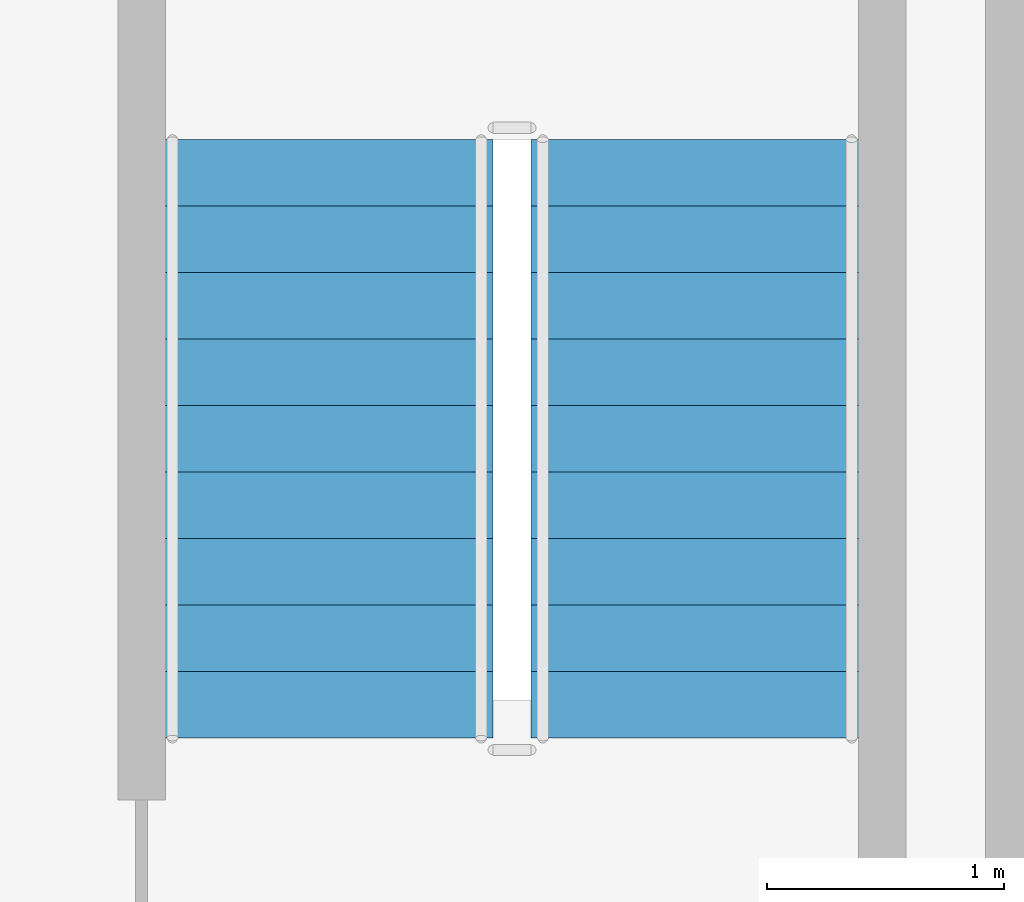
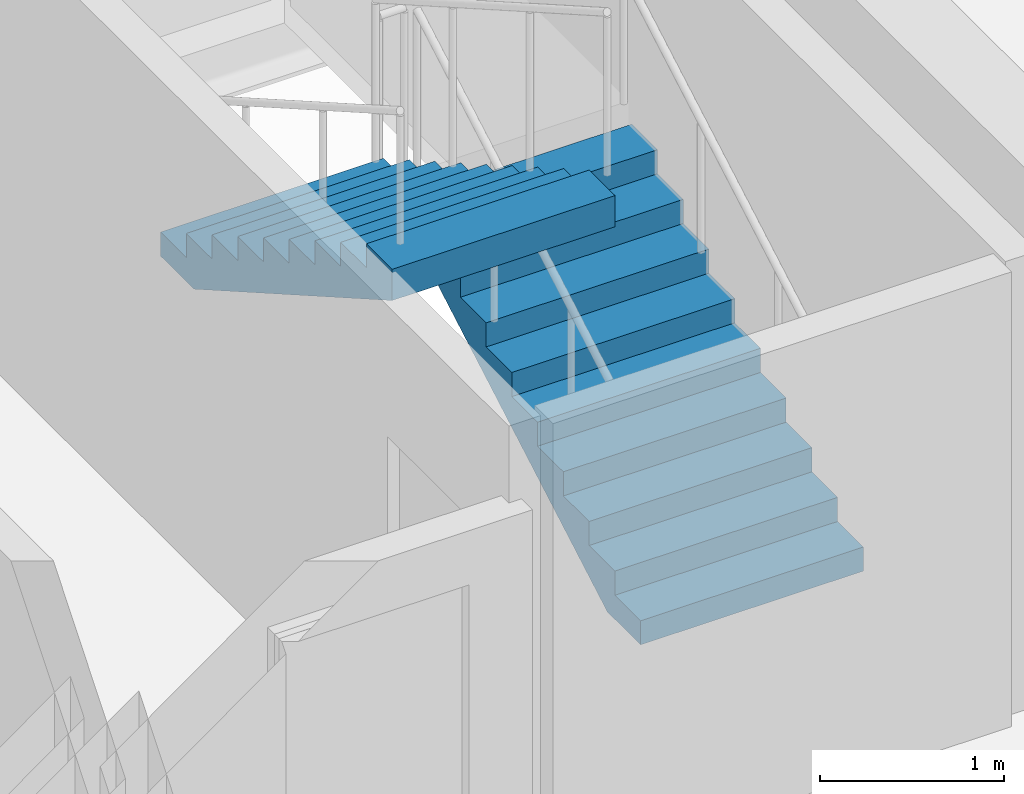
# One storey, part 5 of 7: 2 stair flights, 1 element without a shape of its own.
"""IFC4 building model written with IfcOpenShell, lengths in metres."""

from ifc_helpers import new_model, si_unit, direction, frame, origin, place, context, subcontext, project, spatial, polyline, outline, extrude, material, type_object, element, aggregate, save


model = new_model("IFC4")

# Units and contexts
model_context = context("Model", 3, precision=1e-05, world=origin(), true_north=direction((0.0, 1.0)))
body_context = subcontext(model_context, "Body", "Model", "MODEL_VIEW")
ifc_project = project(units=[si_unit("LENGTHUNIT", "METRE"), si_unit("AREAUNIT", "SQUARE_METRE"), si_unit("VOLUMEUNIT", "CUBIC_METRE"), si_unit("PLANEANGLEUNIT", "RADIAN"), si_unit("MASSUNIT", "GRAM", prefix="KILO")], contexts=[model_context])

# Site, building, storey
site_placement = place(None, origin())
site = spatial("IfcSite", under=ifc_project, at=site_placement, CompositionType="ELEMENT")
building_placement = place(site_placement, origin())
building = spatial("IfcBuilding", under=site, at=building_placement, Name="Kuzgunbayir Cultural Tower", CompositionType="ELEMENT")
storey_placement = place(building_placement, frame((0.0, 0.0, 198.39990234375)))
storey = spatial("IfcBuildingStorey", under=building, at=storey_placement, Name="L58", CompositionType="ELEMENT", Elevation=198.39990234375)

# Stair, stair flights
ifc_material = material(Name="Concrete C40/50", Category="concrete")
stair_type = type_object("IfcStairType", Name="STR-EXIT-CORE", PredefinedType="HALF_TURN_STAIR", material=ifc_material)
stair_placement = place(storey_placement, origin())
stair = element("IfcStair", 1, at=stair_placement, inside=storey, type_object=stair_type, Name="L58 ST-2", PredefinedType="HALF_TURN_STAIR")
stair_flight_type = type_object("IfcStairFlightType", Name="STRF-RC-140", PredefinedType="STRAIGHT", material=ifc_material)
stair_flight_1_placement = place(storey_placement, frame((25.4599609375, 35.60009765625, 0.0), z_axis=(0.0, 0.0, 1.0), x_axis=(0.0, 1.0, 0.0)))
stair_flight_1 = element("IfcStairFlight", 2, at=stair_flight_1_placement, type_object=stair_flight_type, Name="ST-2 flight 1", NumberOfRisers=10, NumberOfTreads=9, PredefinedType="STRAIGHT", RiserHeight=0.16, TreadLength=0.28, context=body_context, shape_type="SweptSolid", body=[
    extrude(outline(polyline([(0.0, 0.0), (0.0, 0.159912109375), (0.280029296875, 0.159912109375), (0.280029296875, 0.320068359375), (0.56005859375, 0.320068359375), (0.56005859375, 0.47998046875), (0.840087890625, 0.47998046875), (0.840087890625, 0.639892578125), (1.1201171875, 0.639892578125), (1.1201171875, 0.800048828125), (1.39990234375, 0.800048828125), (1.39990234375, 0.9599609375), (1.679931640625, 0.9599609375), (1.679931640625, 1.1201171875), (1.9599609375, 1.1201171875), (1.9599609375, 1.280029296875), (2.239990234375, 1.280029296875), (2.239990234375, 1.43994140625), (2.52001953125, 1.43994140625), (2.52001953125, 1.60009765625), (2.52001953125, 1.232666015625), (0.362548828125, 0.0), (0.0, 0.0)])), frame((0.0, 0.699951171875, 0.0), z_axis=(0.0, -1.0, 0.0), x_axis=(1.0, 0.0, 0.0)), (0.0, 0.0, 1.0), 1.39990234375),
])
stair_flight_2_placement = place(storey_placement, frame((23.89990234375, 38.1201171875, 1.60009765625), z_axis=(0.0, 0.0, 1.0), x_axis=(0.0, -1.0, 0.0)))
stair_flight_2 = element("IfcStairFlight", 3, at=stair_flight_2_placement, type_object=stair_flight_type, Name="ST-2 flight 2", NumberOfRisers=10, NumberOfTreads=9, PredefinedType="STRAIGHT", RiserHeight=0.16, TreadLength=0.28, context=body_context, shape_type="SweptSolid", body=[
    extrude(outline(polyline([(0.0, 0.0), (0.0, 0.159912109375), (0.280029296875, 0.159912109375), (0.280029296875, 0.320068359375), (0.56005859375, 0.320068359375), (0.56005859375, 0.47998046875), (0.840087890625, 0.47998046875), (0.840087890625, 0.639892578125), (1.1201171875, 0.639892578125), (1.1201171875, 0.800048828125), (1.39990234375, 0.800048828125), (1.39990234375, 0.9599609375), (1.679931640625, 0.9599609375), (1.679931640625, 1.1201171875), (1.9599609375, 1.1201171875), (1.9599609375, 1.280029296875), (2.239990234375, 1.280029296875), (2.239990234375, 1.43994140625), (2.52001953125, 1.43994140625), (2.52001953125, 1.60009765625), (2.52001953125, 1.232666015625), (0.362548828125, 0.0), (0.0, 0.0)])), frame((0.0, 0.699951171875, 0.0), z_axis=(0.0, -1.0, 0.0), x_axis=(1.0, 0.0, 0.0)), (0.0, 0.0, 1.0), 1.39990234375),
])
aggregate(stair, [stair_flight_1, stair_flight_2])

save(model, "model.ifc")
